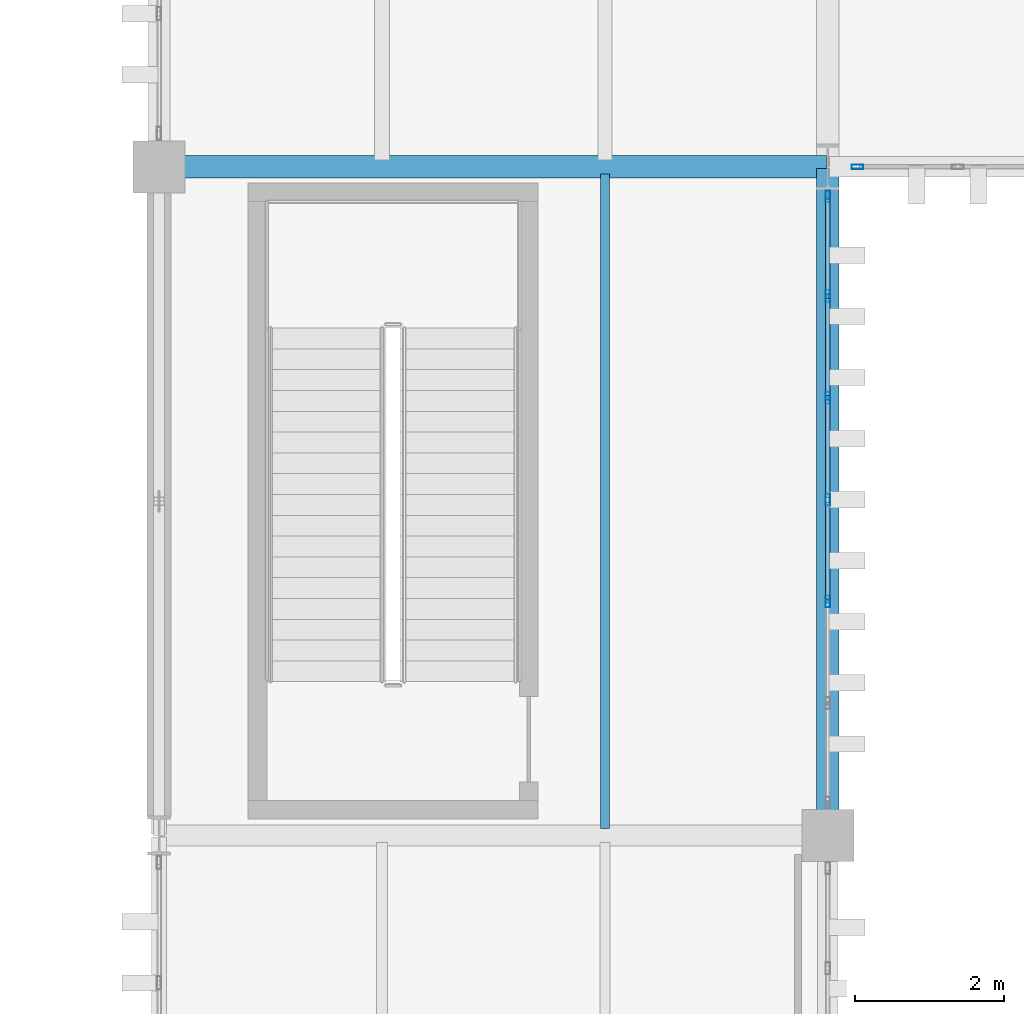
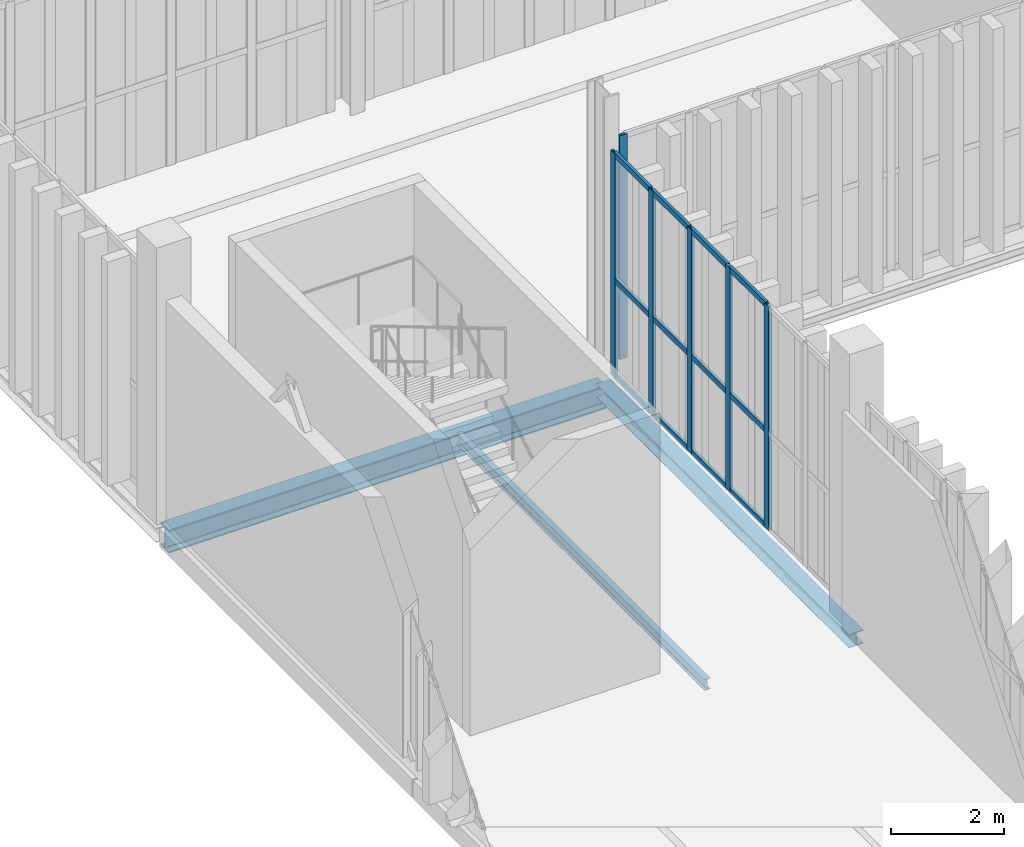
# One storey, part 138 of 237: 18 members, 3 beams, 2 elements without a shape of their own.
"""IFC4 building model written with IfcOpenShell, lengths in metres."""

from ifc_helpers import new_model, si_unit, direction, frame, origin, origin_2d, place, context, subcontext, project, spatial, hollow_rectangle, i_section, extrude, material, layer, layer_set, material_profile, profile_set, type_object, element, aggregate, save


model = new_model("IFC4")

# Units and contexts
model_context = context("Model", 3, precision=1e-05, world=origin(), true_north=direction((0.0, 1.0)))
body_context = subcontext(model_context, "Body", "Model", "MODEL_VIEW")
ifc_project = project(units=[si_unit("LENGTHUNIT", "METRE"), si_unit("AREAUNIT", "SQUARE_METRE"), si_unit("VOLUMEUNIT", "CUBIC_METRE"), si_unit("PLANEANGLEUNIT", "RADIAN"), si_unit("MASSUNIT", "GRAM", prefix="KILO")], contexts=[model_context])

# Site, building, storey
site_placement = place(None, origin())
site = spatial("IfcSite", under=ifc_project, at=site_placement, CompositionType="ELEMENT")
building_placement = place(site_placement, origin())
building = spatial("IfcBuilding", under=site, at=building_placement, Name="Barlavento Convention Centre", CompositionType="ELEMENT")
storey_placement = place(building_placement, frame((0.0, 0.0, 12.0)))
storey = spatial("IfcBuildingStorey", under=building, at=storey_placement, Name="L02", CompositionType="ELEMENT", Elevation=12.0)

# Curtain wall, member
ifc_material_1 = material(Name="Powder-coated aluminium and Low-E glass", Category="aluminium")
ifc_layer = layer(ifc_material_1, 0.195068359375)
ifc_layer_set = layer_set([ifc_layer], Name="ARC-CW-PATIO-A")
curtain_wall_type = type_object("IfcCurtainWallType", Name="ARC-CW-PATIO-A", PredefinedType="NOTDEFINED", material=ifc_layer_set)
curtain_wall_1_placement = place(storey_placement, origin())
curtain_wall_1 = element("IfcCurtainWall", 1, at=curtain_wall_1_placement, inside=storey, type_object=curtain_wall_type, Name="L02 unitised curtain wall CW11", PredefinedType="NOTDEFINED")
ifc_material_2 = material(Name="Powder-coated aluminium", Category="aluminium")
ifc_material_profile_1 = material_profile(ifc_material_2, hollow_rectangle(XDim=0.06005859375, YDim=0.159912109375, WallThickness=0.00390625, at=origin_2d()), Name="AL-MULL 60x160x4")
ifc_profile_set_1 = profile_set([ifc_material_profile_1], Name="Powder-coated aluminium")
member_type_1 = type_object("IfcMemberType", Name="ARC-CWM-60X160", PredefinedType="MULLION", material=ifc_profile_set_1)
member_1_placement = place(storey_placement, frame((135.39990234375, 90.0, 0.0), z_axis=(0.0, 0.0, 1.0), x_axis=(0.0, 1.0, 0.0)))
member_1 = element("IfcMember", 2, at=member_1_placement, type_object=member_type_1, Name="CW11 mullion 1", PredefinedType="MULLION", context=body_context, shape_type="SweptSolid", body=[
    extrude(hollow_rectangle(XDim=0.06005859375, YDim=0.159912109375, WallThickness=0.00390625, at=origin_2d()), origin(), (0.0, 0.0, 1.0), 4.85009765625),
])
aggregate(curtain_wall_1, [member_1])

# Curtain wall, members
curtain_wall_2_placement = place(storey_placement, origin())
curtain_wall_2 = element("IfcCurtainWall", 3, at=curtain_wall_2_placement, inside=storey, type_object=curtain_wall_type, Name="L02 unitised curtain wall CW11", PredefinedType="NOTDEFINED")
member_2_placement = place(storey_placement, frame((135.0, 84.14990234375, 0.0), z_axis=(0.0, 0.0, 1.0), x_axis=(-1.0, 0.0, 0.0)))
member_2 = element("IfcMember", 4, at=member_2_placement, type_object=member_type_1, Name="CW11 mullion 3", PredefinedType="MULLION", context=body_context, shape_type="SweptSolid", body=[
    extrude(hollow_rectangle(XDim=0.06005859375, YDim=0.159912109375, WallThickness=0.00390625, at=origin_2d()), origin(), (0.0, 0.0, 1.0), 4.85009765625),
])
member_3_placement = place(storey_placement, frame((135.0, 85.52001953125, 0.0), z_axis=(0.0, 0.0, 1.0), x_axis=(-1.0, 0.0, 0.0)))
member_3 = element("IfcMember", 5, at=member_3_placement, type_object=member_type_1, Name="CW11 mullion 4", PredefinedType="MULLION", context=body_context, shape_type="SweptSolid", body=[
    extrude(hollow_rectangle(XDim=0.06005859375, YDim=0.159912109375, WallThickness=0.00390625, at=origin_2d()), origin(), (0.0, 0.0, 1.0), 4.85009765625),
])
member_4_placement = place(storey_placement, frame((135.0, 86.889892578125, 0.0), z_axis=(0.0, 0.0, 1.0), x_axis=(-1.0, 0.0, 0.0)))
member_4 = element("IfcMember", 6, at=member_4_placement, type_object=member_type_1, Name="CW11 mullion 5", PredefinedType="MULLION", context=body_context, shape_type="SweptSolid", body=[
    extrude(hollow_rectangle(XDim=0.06005859375, YDim=0.159912109375, WallThickness=0.00390625, at=origin_2d()), origin(), (0.0, 0.0, 1.0), 4.85009765625),
])
member_5_placement = place(storey_placement, frame((135.0, 88.260009765625, 0.0), z_axis=(0.0, 0.0, 1.0), x_axis=(-1.0, 0.0, 0.0)))
member_5 = element("IfcMember", 7, at=member_5_placement, type_object=member_type_1, Name="CW11 mullion 6", PredefinedType="MULLION", context=body_context, shape_type="SweptSolid", body=[
    extrude(hollow_rectangle(XDim=0.06005859375, YDim=0.159912109375, WallThickness=0.00390625, at=origin_2d()), origin(), (0.0, 0.0, 1.0), 4.85009765625),
])
member_6_placement = place(storey_placement, frame((135.0, 89.60009765625, 0.0), z_axis=(0.0, 0.0, 1.0), x_axis=(-1.0, 0.0, 0.0)))
member_6 = element("IfcMember", 8, at=member_6_placement, type_object=member_type_1, Name="CW11 mullion 7", PredefinedType="MULLION", context=body_context, shape_type="SweptSolid", body=[
    extrude(hollow_rectangle(XDim=0.06005859375, YDim=0.159912109375, WallThickness=0.00390625, at=origin_2d()), origin(), (0.0, 0.0, 1.0), 4.85009765625),
])
ifc_material_profile_2 = material_profile(ifc_material_2, hollow_rectangle(XDim=0.06005859375, YDim=0.1201171875, WallThickness=0.00390625, at=origin_2d()), Name="AL-TRAN 60x120x4")
ifc_profile_set_2 = profile_set([ifc_material_profile_2], Name="Powder-coated aluminium")
member_type_2 = type_object("IfcMemberType", Name="ARC-CWT-60X120", PredefinedType="USERDEFINED", material=ifc_profile_set_2)
member_7_placement = place(storey_placement, frame((135.0, 84.179931640625, 0.030029296875), z_axis=(0.0, 1.0, 0.0), x_axis=(-1.0, 0.0, 0.0)))
member_7 = element("IfcMember", 9, at=member_7_placement, type_object=member_type_2, Name="CW11 transom 3.1", ObjectType="TRANSOM", PredefinedType="USERDEFINED", context=body_context, shape_type="SweptSolid", body=[
    extrude(hollow_rectangle(XDim=0.06005859375, YDim=0.1201171875, WallThickness=0.00390625, at=origin_2d()), origin(), (0.0, 0.0, 1.0), 1.31005859375),
])
member_8_placement = place(storey_placement, frame((135.0, 84.179931640625, 2.10009765625), z_axis=(0.0, 1.0, 0.0), x_axis=(-1.0, 0.0, 0.0)))
member_8 = element("IfcMember", 10, at=member_8_placement, type_object=member_type_2, Name="CW11 transom 3.2", ObjectType="TRANSOM", PredefinedType="USERDEFINED", context=body_context, shape_type="SweptSolid", body=[
    extrude(hollow_rectangle(XDim=0.06005859375, YDim=0.1201171875, WallThickness=0.00390625, at=origin_2d()), origin(), (0.0, 0.0, 1.0), 1.31005859375),
])
member_9_placement = place(storey_placement, frame((135.0, 84.179931640625, 4.820068359375), z_axis=(0.0, 1.0, 0.0), x_axis=(-1.0, 0.0, 0.0)))
member_9 = element("IfcMember", 11, at=member_9_placement, type_object=member_type_2, Name="CW11 transom 3.3", ObjectType="TRANSOM", PredefinedType="USERDEFINED", context=body_context, shape_type="SweptSolid", body=[
    extrude(hollow_rectangle(XDim=0.06005859375, YDim=0.1201171875, WallThickness=0.00390625, at=origin_2d()), origin(), (0.0, 0.0, 1.0), 1.31005859375),
])
member_10_placement = place(storey_placement, frame((135.0, 85.550048828125, 0.030029296875), z_axis=(0.0, 1.0, 0.0), x_axis=(-1.0, 0.0, 0.0)))
member_10 = element("IfcMember", 12, at=member_10_placement, type_object=member_type_2, Name="CW11 transom 4.1", ObjectType="TRANSOM", PredefinedType="USERDEFINED", context=body_context, shape_type="SweptSolid", body=[
    extrude(hollow_rectangle(XDim=0.06005859375, YDim=0.1201171875, WallThickness=0.00390625, at=origin_2d()), origin(), (0.0, 0.0, 1.0), 1.31005859375),
])
member_11_placement = place(storey_placement, frame((135.0, 85.550048828125, 2.10009765625), z_axis=(0.0, 1.0, 0.0), x_axis=(-1.0, 0.0, 0.0)))
member_11 = element("IfcMember", 13, at=member_11_placement, type_object=member_type_2, Name="CW11 transom 4.2", ObjectType="TRANSOM", PredefinedType="USERDEFINED", context=body_context, shape_type="SweptSolid", body=[
    extrude(hollow_rectangle(XDim=0.06005859375, YDim=0.1201171875, WallThickness=0.00390625, at=origin_2d()), origin(), (0.0, 0.0, 1.0), 1.31005859375),
])
member_12_placement = place(storey_placement, frame((135.0, 85.550048828125, 4.820068359375), z_axis=(0.0, 1.0, 0.0), x_axis=(-1.0, 0.0, 0.0)))
member_12 = element("IfcMember", 14, at=member_12_placement, type_object=member_type_2, Name="CW11 transom 4.3", ObjectType="TRANSOM", PredefinedType="USERDEFINED", context=body_context, shape_type="SweptSolid", body=[
    extrude(hollow_rectangle(XDim=0.06005859375, YDim=0.1201171875, WallThickness=0.00390625, at=origin_2d()), origin(), (0.0, 0.0, 1.0), 1.31005859375),
])
member_13_placement = place(storey_placement, frame((135.0, 86.919921875, 0.030029296875), z_axis=(0.0, 1.0, 0.0), x_axis=(-1.0, 0.0, 0.0)))
member_13 = element("IfcMember", 15, at=member_13_placement, type_object=member_type_2, Name="CW11 transom 5.1", ObjectType="TRANSOM", PredefinedType="USERDEFINED", context=body_context, shape_type="SweptSolid", body=[
    extrude(hollow_rectangle(XDim=0.06005859375, YDim=0.1201171875, WallThickness=0.00390625, at=origin_2d()), origin(), (0.0, 0.0, 1.0), 1.31005859375),
])
member_14_placement = place(storey_placement, frame((135.0, 86.919921875, 2.10009765625), z_axis=(0.0, 1.0, 0.0), x_axis=(-1.0, 0.0, 0.0)))
member_14 = element("IfcMember", 16, at=member_14_placement, type_object=member_type_2, Name="CW11 transom 5.2", ObjectType="TRANSOM", PredefinedType="USERDEFINED", context=body_context, shape_type="SweptSolid", body=[
    extrude(hollow_rectangle(XDim=0.06005859375, YDim=0.1201171875, WallThickness=0.00390625, at=origin_2d()), origin(), (0.0, 0.0, 1.0), 1.31005859375),
])
member_15_placement = place(storey_placement, frame((135.0, 86.919921875, 4.820068359375), z_axis=(0.0, 1.0, 0.0), x_axis=(-1.0, 0.0, 0.0)))
member_15 = element("IfcMember", 17, at=member_15_placement, type_object=member_type_2, Name="CW11 transom 5.3", ObjectType="TRANSOM", PredefinedType="USERDEFINED", context=body_context, shape_type="SweptSolid", body=[
    extrude(hollow_rectangle(XDim=0.06005859375, YDim=0.1201171875, WallThickness=0.00390625, at=origin_2d()), origin(), (0.0, 0.0, 1.0), 1.31005859375),
])
member_16_placement = place(storey_placement, frame((135.0, 88.2900390625, 0.030029296875), z_axis=(0.0, 1.0, 0.0), x_axis=(-1.0, 0.0, 0.0)))
member_16 = element("IfcMember", 18, at=member_16_placement, type_object=member_type_2, Name="CW11 transom 6.1", ObjectType="TRANSOM", PredefinedType="USERDEFINED", context=body_context, shape_type="SweptSolid", body=[
    extrude(hollow_rectangle(XDim=0.06005859375, YDim=0.1201171875, WallThickness=0.00390625, at=origin_2d()), origin(), (0.0, 0.0, 1.0), 1.280029296875),
])
member_17_placement = place(storey_placement, frame((135.0, 88.2900390625, 2.10009765625), z_axis=(0.0, 1.0, 0.0), x_axis=(-1.0, 0.0, 0.0)))
member_17 = element("IfcMember", 19, at=member_17_placement, type_object=member_type_2, Name="CW11 transom 6.2", ObjectType="TRANSOM", PredefinedType="USERDEFINED", context=body_context, shape_type="SweptSolid", body=[
    extrude(hollow_rectangle(XDim=0.06005859375, YDim=0.1201171875, WallThickness=0.00390625, at=origin_2d()), origin(), (0.0, 0.0, 1.0), 1.280029296875),
])
member_18_placement = place(storey_placement, frame((135.0, 88.2900390625, 4.820068359375), z_axis=(0.0, 1.0, 0.0), x_axis=(-1.0, 0.0, 0.0)))
member_18 = element("IfcMember", 20, at=member_18_placement, type_object=member_type_2, Name="CW11 transom 6.3", ObjectType="TRANSOM", PredefinedType="USERDEFINED", context=body_context, shape_type="SweptSolid", body=[
    extrude(hollow_rectangle(XDim=0.06005859375, YDim=0.1201171875, WallThickness=0.00390625, at=origin_2d()), origin(), (0.0, 0.0, 1.0), 1.280029296875),
])
aggregate(curtain_wall_2, [member_2, member_3, member_4, member_5, member_6, member_7, member_8, member_9, member_10, member_11, member_12, member_13, member_14, member_15, member_16, member_17, member_18])

# Beams
ifc_material_3 = material(Name="Steel S355", Category="steel")
ifc_material_profile_3 = material_profile(ifc_material_3, i_section(OverallWidth=0.1201171875, OverallDepth=0.239990234375, WebThickness=0.006103515625, FlangeThickness=0.009765625, FilletRadius=0.014892578125, at=origin_2d()), Name="IPE 240")
ifc_profile_set_3 = profile_set([ifc_material_profile_3], Name="Steel S355")
beam_type_1 = type_object("IfcBeamType", Name="STR-BM-JST-IPE240", PredefinedType="JOIST", material=ifc_profile_set_3)
beam_1_placement = place(storey_placement, frame((132.0, 81.094970703125, -0.47998046875), z_axis=(0.0, 1.0, 0.0), x_axis=(-1.0, 0.0, 0.0)))
element("IfcBeam", 21, at=beam_1_placement, inside=storey, type_object=beam_type_1, Name="L02 composite floor joist SJ09", PredefinedType="JOIST", context=body_context, shape_type="SweptSolid", body=[
    extrude(i_section(OverallWidth=0.1201171875, OverallDepth=0.239990234375, WebThickness=0.006103515625, FlangeThickness=0.009765625, FilletRadius=0.014892578125, at=origin_2d()), origin(), (0.0, 0.0, 1.0), 8.81005859375),
])
ifc_material_profile_4 = material_profile(ifc_material_3, i_section(OverallWidth=0.300048828125, OverallDepth=0.5, WebThickness=0.014404296875, FlangeThickness=0.028076171875, FilletRadius=0.027099609375, at=origin_2d()), Name="HEB 500")
ifc_profile_set_4 = profile_set([ifc_material_profile_4], Name="Steel S355")
beam_type_2 = type_object("IfcBeamType", Name="STR-BM-PRI-HEB500", PredefinedType="BEAM", material=ifc_profile_set_4)
beam_2_placement = place(storey_placement, frame((126.02001953125, 90.0, -0.610107421875), z_axis=(1.0, 0.0, 0.0), x_axis=(0.0, 1.0, 0.0)))
element("IfcBeam", 22, at=beam_2_placement, inside=storey, type_object=beam_type_2, Name="L02 primary girder BG09", PredefinedType="BEAM", context=body_context, shape_type="SweptSolid", body=[
    extrude(i_section(OverallWidth=0.300048828125, OverallDepth=0.5, WebThickness=0.014404296875, FlangeThickness=0.028076171875, FilletRadius=0.027099609375, at=origin_2d()), origin(), (0.0, 0.0, 1.0), 8.9599609375),
])
ifc_material_profile_5 = material_profile(ifc_material_3, i_section(OverallWidth=0.300048828125, OverallDepth=0.2900390625, WebThickness=0.008544921875, FlangeThickness=0.013916015625, FilletRadius=0.027099609375, at=origin_2d()), Name="HEA 300")
ifc_profile_set_5 = profile_set([ifc_material_profile_5], Name="Steel S355")
beam_type_3 = type_object("IfcBeamType", Name="STR-BM-SPN-HEA300", PredefinedType="SPANDREL", material=ifc_profile_set_5)
beam_3_placement = place(storey_placement, frame((135.0, 81.02001953125, -0.5048828125), z_axis=(0.0, 1.0, 0.0), x_axis=(-1.0, 0.0, 0.0)))
element("IfcBeam", 23, at=beam_3_placement, inside=storey, type_object=beam_type_3, Name="L02 grid girder SP02", PredefinedType="SPANDREL", context=body_context, shape_type="SweptSolid", body=[
    extrude(i_section(OverallWidth=0.300048828125, OverallDepth=0.2900390625, WebThickness=0.008544921875, FlangeThickness=0.013916015625, FilletRadius=0.027099609375, at=origin_2d()), origin(), (0.0, 0.0, 1.0), 8.9599609375),
])

save(model, "model.ifc")
